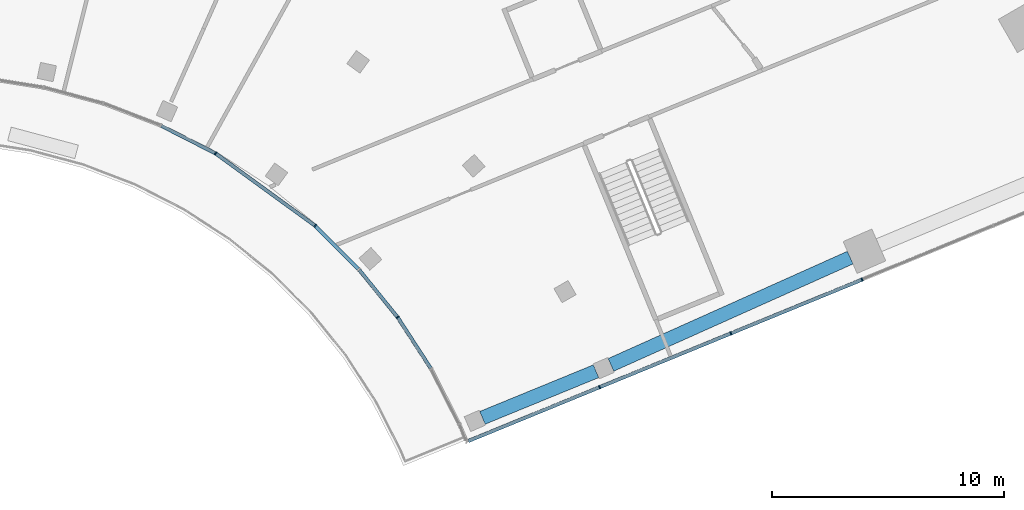
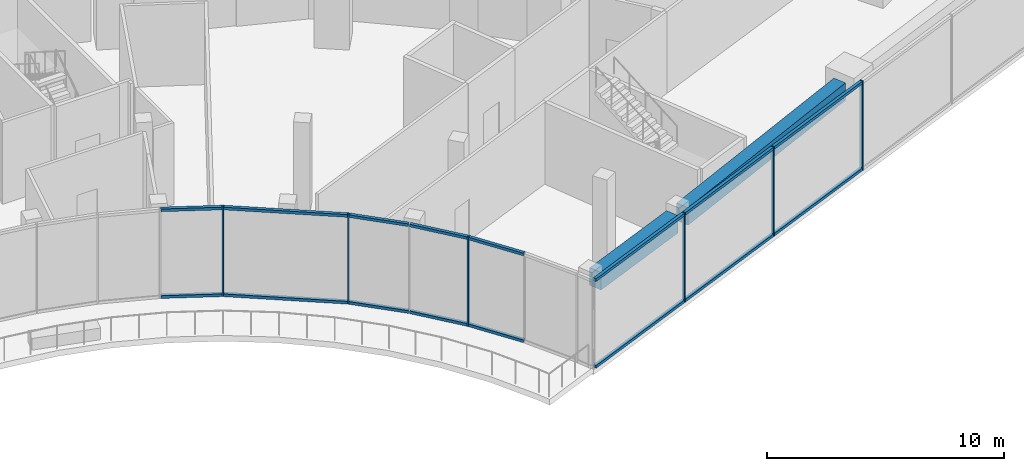
# One storey, part 9 of 39: 22 members, 2 beams, 2 elements without a shape of their own.
"""IFC4 building model written with IfcOpenShell, lengths in metres."""

import ifcopenshell
import ifcopenshell.guid

model = None  # the IFC model being written
_history = None  # IfcOwnerHistory: only IFC2X3 demands one
_inside = {}  # id of a spatial element -> (the spatial element, [elements in it])
_under = {}  # id of a project, library or spatial element -> (it, [spatial elements below it])
_declared = {}  # id of a project -> (the project, [libraries it declares])
_typed = {}  # id of a type object -> (the type object, [elements of that type])
_made_of = {}  # id of a material, layer set ... -> (it, [elements and type objects made of it])


def new_model(schema):
    """Start an empty IFC model of exactly this schema.

    Asked for "IFC4X3", IfcOpenShell would pick the latest addendum, in which some entities
    have other attributes; the version numbers below select the first issue.
    IFC2X3 requires an IfcOwnerHistory on every rooted entity: one is made here for all.
    """
    global model, _history
    if schema == "IFC4X3":
        model = ifcopenshell.file(schema_version=(4, 3, 0, 0))
    else:
        model = ifcopenshell.file(schema=schema)
    _inside.clear()
    _under.clear()
    _declared.clear()
    _typed.clear()
    _made_of.clear()
    _history = None
    if model.schema == "IFC2X3":
        org = make("IfcOrganization", Name="unknown")
        user = make(
            "IfcPersonAndOrganization",
            ThePerson=make("IfcPerson", FamilyName="unknown"),
            TheOrganization=org,
        )
        app = make(
            "IfcApplication",
            ApplicationDeveloper=org,
            Version="unknown",
            ApplicationFullName="unknown",
            ApplicationIdentifier="unknown",
        )
        _history = make(
            "IfcOwnerHistory",
            OwningUser=user,
            OwningApplication=app,
            ChangeAction="ADDED",
            CreationDate=0,
        )
    return model


def make(cls, **values):
    """One entity of the class cls with the attributes given. An attribute that is None is left unset."""
    return model.create_entity(
        cls, **{name: value for name, value in values.items() if value is not None}
    )


def rooted(cls, **values):
    """An entity with a GlobalId (a new one), such as an element, a storey or a relation."""
    return make(cls, GlobalId=ifcopenshell.guid.new(), OwnerHistory=_history, **values)


def si_unit(unit_type, name, prefix=None):
    """IfcSIUnit, for example si_unit("LENGTHUNIT", "METRE", prefix="MILLI")."""
    return make("IfcSIUnit", UnitType=unit_type, Prefix=prefix, Name=name)


def assignment(units):
    """IfcUnitAssignment: the units of a project."""
    return None if units is None else make("IfcUnitAssignment", Units=units)


def point(xyz):
    """IfcCartesianPoint."""
    return None if xyz is None else make("IfcCartesianPoint", Coordinates=xyz)


def direction(xyz):
    """IfcDirection."""
    return None if xyz is None else make("IfcDirection", DirectionRatios=xyz)


def frame(location, z_axis=None, x_axis=None):
    """IfcAxis2Placement3D, a coordinate frame: its origin and axes. An axis left out is left unset."""
    return make(
        "IfcAxis2Placement3D",
        Location=point(location),
        Axis=direction(z_axis),
        RefDirection=direction(x_axis),
    )


def frame_2d(location, x_axis=None):
    """IfcAxis2Placement2D, a coordinate frame in the plane: its origin and x axis."""
    return make(
        "IfcAxis2Placement2D", Location=point(location), RefDirection=direction(x_axis)
    )


def origin():
    """The frame at (0, 0, 0) with its axes left unset."""
    return frame((0.0, 0.0, 0.0))


def origin_2d():
    """The frame at (0, 0) in the plane with its x axis left unset."""
    return frame_2d((0.0, 0.0))


def place(relative_to, where):
    """IfcLocalPlacement: puts the frame where relative to a parent placement (None: the world)."""
    return make(
        "IfcLocalPlacement", PlacementRelTo=relative_to, RelativePlacement=where
    )


def context(
    kind, dimensions, precision=None, world=None, true_north=None, identifier=None
):
    """IfcGeometricRepresentationContext, for example the 3D "Model" context."""
    return make(
        "IfcGeometricRepresentationContext",
        ContextIdentifier=identifier,
        ContextType=kind,
        CoordinateSpaceDimension=dimensions,
        Precision=precision,
        WorldCoordinateSystem=world,
        TrueNorth=true_north,
    )


def subcontext(parent, identifier, kind, view, scale=None):
    """IfcGeometricRepresentationSubContext, for example "Body" below "Model"."""
    return make(
        "IfcGeometricRepresentationSubContext",
        ContextIdentifier=identifier,
        ContextType=kind,
        ParentContext=parent,
        TargetScale=scale,
        TargetView=view,
    )


def project(units=None, contexts=None):
    """IfcProject with its units and contexts."""
    return rooted(
        "IfcProject",
        Name="project",
        RepresentationContexts=contexts,
        UnitsInContext=assignment(units),
    )


def spatial(cls, under=None, at=None, **own):
    """A site, building, storey or space (cls), placed at a placement, below another one or the project."""
    s = rooted(cls, ObjectPlacement=at, **own)
    if under is not None:
        _under.setdefault(under.id(), (under, []))[1].append(s)
    return s


def profile(cls, at=None, kind="AREA", **sizes):
    """A parametric profile (cls). Its sizes go by their IFC names, for example OverallWidth=200.0."""
    return make(cls, ProfileType=kind, Position=at, **sizes)


def rectangle(**sizes):
    """IfcRectangleProfileDef."""
    return profile("IfcRectangleProfileDef", **sizes)


def extrude(swept, where, along, depth):
    """IfcExtrudedAreaSolid: the profile swept, set in the frame where, extruded along a direction by depth."""
    return make(
        "IfcExtrudedAreaSolid",
        SweptArea=swept,
        Position=where,
        ExtrudedDirection=direction(along),
        Depth=depth,
    )


def shape(context_of_items, identifier, shape_type, items):
    """IfcShapeRepresentation: the items that make up one representation, for example the "Body"."""
    return make(
        "IfcShapeRepresentation",
        ContextOfItems=context_of_items,
        RepresentationIdentifier=identifier,
        RepresentationType=shape_type,
        Items=items,
    )


def material(Name=None, Category=None):
    """IfcMaterial."""
    return make("IfcMaterial", Name=Name, Category=Category)


def layer(
    of_material, thickness, ventilated=None, Name=None, Category=None, Priority=None
):
    """IfcMaterialLayer: one layer of a wall or slab, of a material (None: an air gap)."""
    return make(
        "IfcMaterialLayer",
        Material=of_material,
        LayerThickness=thickness,
        IsVentilated=ventilated,
        Name=Name,
        Category=Category,
        Priority=Priority,
    )


def layer_set(layers, Name=None):
    """IfcMaterialLayerSet."""
    return make("IfcMaterialLayerSet", MaterialLayers=layers, LayerSetName=Name)


def material_profile(
    of_material, cross_section, Name=None, Category=None, Priority=None
):
    """IfcMaterialProfile: a cross section and its material."""
    return make(
        "IfcMaterialProfile",
        Name=Name,
        Material=of_material,
        Profile=cross_section,
        Priority=Priority,
        Category=Category,
    )


def profile_set(profiles, Name=None, composite=None):
    """IfcMaterialProfileSet."""
    return make(
        "IfcMaterialProfileSet",
        Name=Name,
        MaterialProfiles=profiles,
        CompositeProfile=composite,
    )


def made_of(thing, what):
    """Note that an element or type object is made of a material, layer set ...; save() writes the relation."""
    if what is not None:
        _made_of.setdefault(what.id(), (what, []))[1].append(thing)
    return thing


def type_object(cls, material=None, **own):
    """A type object (cls), such as IfcWallType, which elements share."""
    return made_of(rooted(cls, **own), material)


def element(
    cls,
    number,
    at=None,
    inside=None,
    cuts=None,
    type_object=None,
    material=None,
    context=None,
    identifier="Body",
    shape_type=None,
    held_by="IfcProductDefinitionShape",
    body=None,
    shapes=None,
    **own,
):
    """One element of the class cls, such as IfcWall. Its Tag is "e" and its number.

    at: its placement. inside: the storey or other place that contains it. cuts: it is an
    opening in that element (IfcRelVoidsElement). A single representation is given by context,
    identifier, shape_type and body (its items); several are given by shapes. held_by: the class
    of the entity that holds the representations. save() writes the other relations.
    """
    e = rooted(cls, Tag="e%d" % number, ObjectPlacement=at, **own)
    if body is not None:
        shapes = [shape(context, identifier, shape_type, body)]
    if shapes is not None:
        e.Representation = make(held_by, Representations=shapes)
    if inside is not None:
        _inside.setdefault(inside.id(), (inside, []))[1].append(e)
    if cuts is not None:
        rooted(
            "IfcRelVoidsElement", RelatingBuildingElement=cuts, RelatedOpeningElement=e
        )
    if type_object is not None:
        _typed.setdefault(type_object.id(), (type_object, []))[1].append(e)
    return made_of(e, material)


def aggregate(whole, parts):
    """IfcRelAggregates: a whole, such as a stair, and the parts it consists of."""
    return rooted("IfcRelAggregates", RelatingObject=whole, RelatedObjects=parts)


def save(model, path):
    """Write the relations noted so far, then the file.

    IfcRelAggregates (storeys below a building ...), IfcRelContainedInSpatialStructure (elements
    in a storey), IfcRelDefinesByType, IfcRelAssociatesMaterial and IfcRelDeclares: one each for
    every whole, place, type object, material and project.
    """
    for whole, parts in _under.values():
        aggregate(whole, parts)
    for where, things in _inside.values():
        rooted(
            "IfcRelContainedInSpatialStructure",
            RelatedElements=things,
            RelatingStructure=where,
        )
    for kind, things in _typed.values():
        rooted("IfcRelDefinesByType", RelatedObjects=things, RelatingType=kind)
    for what, things in _made_of.values():
        rooted("IfcRelAssociatesMaterial", RelatedObjects=things, RelatingMaterial=what)
    for by, libraries in _declared.values():
        rooted("IfcRelDeclares", RelatingContext=by, RelatedDefinitions=libraries)
    model.write(path)


model = new_model("IFC4")

# Units and contexts
model_context = context("Model", 3, precision=1e-05, world=origin(), true_north=direction((0.0, 1.0)))
body_context = subcontext(model_context, "Body", "Model", "MODEL_VIEW")
ifc_project = project(units=[si_unit("LENGTHUNIT", "METRE"), si_unit("AREAUNIT", "SQUARE_METRE"), si_unit("VOLUMEUNIT", "CUBIC_METRE"), si_unit("PLANEANGLEUNIT", "RADIAN"), si_unit("MASSUNIT", "GRAM", prefix="KILO")], contexts=[model_context])

# Site, building, storey
site_placement = place(None, origin())
site = spatial("IfcSite", under=ifc_project, at=site_placement, CompositionType="ELEMENT")
building_placement = place(site_placement, origin())
building = spatial("IfcBuilding", under=site, at=building_placement, Name="Stone Belt Terrace Tower", CompositionType="ELEMENT")
storey_placement = place(building_placement, frame((0.0, 0.0, 16.199951171875)))
storey = spatial("IfcBuildingStorey", under=building, at=storey_placement, Name="L03", CompositionType="ELEMENT", Elevation=16.199951171875)

# Curtain wall, members
ifc_material_1 = material(Name="Aluminium 6063-T6 anodised frame", Category="aluminium")
ifc_layer = layer(ifc_material_1, 0.14990234375)
ifc_layer_set = layer_set([ifc_layer], Name="CW-D podium shopfront")
curtain_wall_type = type_object("IfcCurtainWallType", Name="CW-D podium shopfront", PredefinedType="NOTDEFINED", material=ifc_layer_set)
curtain_wall_1_placement = place(storey_placement, origin())
curtain_wall_1 = element("IfcCurtainWall", 1, at=curtain_wall_1_placement, inside=storey, type_object=curtain_wall_type, Name="CW-D concave face L03", PredefinedType="NOTDEFINED")
ifc_material_profile_1 = material_profile(ifc_material_1, rectangle(XDim=0.14990234375, YDim=0.06005859375, at=origin_2d()), Name="Aluminium 6063-T6 60x150")
ifc_profile_set_1 = profile_set([ifc_material_profile_1], Name="Aluminium 6063-T6 anodised frame")
member_type_1 = type_object("IfcMemberType", Name="CW-D mullion 60 x 150", PredefinedType="MULLION", material=ifc_profile_set_1)
member_1_placement = place(storey_placement, frame((12.710693359375, 22.01953125, 0.0), z_axis=(0.0, 0.0, 1.0), x_axis=(0.522498564716, 0.852640164354, 0.0)))
member_1 = element("IfcMember", 2, at=member_1_placement, type_object=member_type_1, Name="CW-D mullion 16", PredefinedType="MULLION", context=body_context, shape_type="SweptSolid", body=[
    extrude(rectangle(XDim=0.14990234375, YDim=0.06005859375, at=origin_2d()), origin(), (0.0, 0.0, 1.0), 4.60009765625),
])
member_2_placement = place(storey_placement, frame((17.013916015625, 18.89306640625, 0.0), z_axis=(0.0, 0.0, 1.0), x_axis=(0.64944804833, 0.7604059656, 0.0)))
member_2 = element("IfcMember", 3, at=member_2_placement, type_object=member_type_1, Name="CW-D mullion 17", PredefinedType="MULLION", context=body_context, shape_type="SweptSolid", body=[
    extrude(rectangle(XDim=0.14990234375, YDim=0.06005859375, at=origin_2d()), origin(), (0.0, 0.0, 1.0), 4.60009765625),
])
member_3_placement = place(storey_placement, frame((20.569091796875, 14.9443359375, 0.0), z_axis=(0.0, 0.0, 1.0), x_axis=(0.809016994375, 0.587785252292, 0.0)))
member_3 = element("IfcMember", 4, at=member_3_placement, type_object=member_type_1, Name="CW-D mullion 19", PredefinedType="MULLION", context=body_context, shape_type="SweptSolid", body=[
    extrude(rectangle(XDim=0.14990234375, YDim=0.06005859375, at=origin_2d()), origin(), (0.0, 0.0, 1.0), 4.60009765625),
])

curtain_wall_2_placement = place(storey_placement, origin())
curtain_wall_2 = element("IfcCurtainWall", 5, at=curtain_wall_2_placement, inside=storey, type_object=curtain_wall_type, Name="CW-D end face L03", PredefinedType="NOTDEFINED")
member_4_placement = place(storey_placement, frame((29.291015625, 11.924072265625, 0.0), z_axis=(0.0, 0.0, 1.0), x_axis=(-0.379243093825, 0.925297074342, 0.0)))
member_4 = element("IfcMember", 6, at=member_4_placement, type_object=member_type_1, Name="CW-D mullion 2", PredefinedType="MULLION", context=body_context, shape_type="SweptSolid", body=[
    extrude(rectangle(XDim=0.14990234375, YDim=0.06005859375, at=origin_2d()), origin(), (0.0, 0.0, 1.0), 4.60009765625),
])
member_5_placement = place(storey_placement, frame((34.95849609375, 14.2470703125, 0.0), z_axis=(0.0, 0.0, 1.0), x_axis=(-0.379243093825, 0.925297074342, 0.0)))
member_5 = element("IfcMember", 7, at=member_5_placement, type_object=member_type_1, Name="CW-D mullion 3", PredefinedType="MULLION", context=body_context, shape_type="SweptSolid", body=[
    extrude(rectangle(XDim=0.14990234375, YDim=0.06005859375, at=origin_2d()), origin(), (0.0, 0.0, 1.0), 4.60009765625),
])
member_6_placement = place(storey_placement, frame((40.625732421875, 16.56982421875, 0.0), z_axis=(0.0, 0.0, 1.0), x_axis=(-0.379243093825, 0.925297074342, 0.0)))
member_6 = element("IfcMember", 8, at=member_6_placement, type_object=member_type_1, Name="CW-D mullion 4", PredefinedType="MULLION", context=body_context, shape_type="SweptSolid", body=[
    extrude(rectangle(XDim=0.14990234375, YDim=0.06005859375, at=origin_2d()), origin(), (0.0, 0.0, 1.0), 4.60009765625),
])

# Member
ifc_material_profile_2 = material_profile(ifc_material_1, rectangle(XDim=0.14990234375, YDim=0.139892578125, at=origin_2d()), Name="Aluminium 6063-T6 150x140")
ifc_profile_set_2 = profile_set([ifc_material_profile_2], Name="Aluminium 6063-T6 anodised frame")
member_type_2 = type_object("IfcMemberType", Name="CW-D transom 140 x 150", PredefinedType="USERDEFINED", material=ifc_profile_set_2)
member_7_placement = place(storey_placement, frame((10.371337890625, 23.21142578125, 0.070068359375), z_axis=(0.890988410313, -0.454026048468, 0.0), x_axis=(0.454026048468, 0.890988410313, 0.0)))
member_7 = element("IfcMember", 9, at=member_7_placement, type_object=member_type_2, Name="CW-D transom 15.1", ObjectType="TRANSOM", PredefinedType="USERDEFINED", context=body_context, shape_type="SweptSolid", body=[
    extrude(rectangle(XDim=0.14990234375, YDim=0.139892578125, at=origin_2d()), origin(), (0.0, 0.0, 1.0), 2.589599609375),
])

member_8_placement = place(storey_placement, frame((10.371337890625, 23.21142578125, 4.530029296875), z_axis=(0.890988410313, -0.454026048468, 0.0), x_axis=(0.454026048468, 0.890988410313, 0.0)))
member_8 = element("IfcMember", 10, at=member_8_placement, type_object=member_type_2, Name="CW-D transom 15.2", ObjectType="TRANSOM", PredefinedType="USERDEFINED", context=body_context, shape_type="SweptSolid", body=[
    extrude(rectangle(XDim=0.14990234375, YDim=0.139892578125, at=origin_2d()), origin(), (0.0, 0.0, 1.0), 2.589599609375),
])

member_9_placement = place(storey_placement, frame((12.73974609375, 21.99853515625, 0.070068359375), z_axis=(0.809013631992, -0.587789880188, 0.0), x_axis=(0.587789880188, 0.809013631992, 0.0)))
member_9 = element("IfcMember", 11, at=member_9_placement, type_object=member_type_2, Name="CW-D transom 16.1", ObjectType="TRANSOM", PredefinedType="USERDEFINED", context=body_context, shape_type="SweptSolid", body=[
    extrude(rectangle(XDim=0.14990234375, YDim=0.139892578125, at=origin_2d()), origin(), (0.0, 0.0, 1.0), 5.24755859375),
])

member_10_placement = place(storey_placement, frame((12.73974609375, 21.99853515625, 4.530029296875), z_axis=(0.809013631992, -0.587789880188, 0.0), x_axis=(0.587789880188, 0.809013631992, 0.0)))
member_10 = element("IfcMember", 12, at=member_10_placement, type_object=member_type_2, Name="CW-D transom 16.2", ObjectType="TRANSOM", PredefinedType="USERDEFINED", context=body_context, shape_type="SweptSolid", body=[
    extrude(rectangle(XDim=0.14990234375, YDim=0.139892578125, at=origin_2d()), origin(), (0.0, 0.0, 1.0), 5.24755859375),
])

member_11_placement = place(storey_placement, frame((17.039306640625, 18.86767578125, 0.070068359375), z_axis=(0.707106781187, -0.707106781187, 0.0), x_axis=(0.707106781187, 0.707106781187, 0.0)))
member_11 = element("IfcMember", 13, at=member_11_placement, type_object=member_type_2, Name="CW-D transom 17.1", ObjectType="TRANSOM", PredefinedType="USERDEFINED", context=body_context, shape_type="SweptSolid", body=[
    extrude(rectangle(XDim=0.14990234375, YDim=0.139892578125, at=origin_2d()), origin(), (0.0, 0.0, 1.0), 2.589599609375),
])

member_12_placement = place(storey_placement, frame((17.039306640625, 18.86767578125, 4.530029296875), z_axis=(0.707106781187, -0.707106781187, 0.0), x_axis=(0.707106781187, 0.707106781187, 0.0)))
member_12 = element("IfcMember", 14, at=member_12_placement, type_object=member_type_2, Name="CW-D transom 17.2", ObjectType="TRANSOM", PredefinedType="USERDEFINED", context=body_context, shape_type="SweptSolid", body=[
    extrude(rectangle(XDim=0.14990234375, YDim=0.139892578125, at=origin_2d()), origin(), (0.0, 0.0, 1.0), 2.589599609375),
])

member_13_placement = place(storey_placement, frame((18.915771484375, 16.986328125, 0.070068359375), z_axis=(0.629287587589, -0.777172524029, 0.0), x_axis=(0.777172524029, 0.629287587589, 0.0)))
member_13 = element("IfcMember", 15, at=member_13_placement, type_object=member_type_2, Name="CW-D transom 18.1", ObjectType="TRANSOM", PredefinedType="USERDEFINED", context=body_context, shape_type="SweptSolid", body=[
    extrude(rectangle(XDim=0.14990234375, YDim=0.139892578125, at=origin_2d()), origin(), (0.0, 0.0, 1.0), 2.593505859375),
])

member_14_placement = place(storey_placement, frame((18.915771484375, 16.986328125, 4.530029296875), z_axis=(0.629287587589, -0.777172524029, 0.0), x_axis=(0.777172524029, 0.629287587589, 0.0)))
member_14 = element("IfcMember", 16, at=member_14_placement, type_object=member_type_2, Name="CW-D transom 18.2", ObjectType="TRANSOM", PredefinedType="USERDEFINED", context=body_context, shape_type="SweptSolid", body=[
    extrude(rectangle(XDim=0.14990234375, YDim=0.139892578125, at=origin_2d()), origin(), (0.0, 0.0, 1.0), 2.593505859375),
])

member_15_placement = place(storey_placement, frame((20.587646484375, 14.916015625, 0.070068359375), z_axis=(0.544667356969, -0.838652174773, 0.0), x_axis=(0.838652174773, 0.544667356969, 0.0)))
member_15 = element("IfcMember", 17, at=member_15_placement, type_object=member_type_2, Name="CW-D transom 19.1", ObjectType="TRANSOM", PredefinedType="USERDEFINED", context=body_context, shape_type="SweptSolid", body=[
    extrude(rectangle(XDim=0.14990234375, YDim=0.139892578125, at=origin_2d()), origin(), (0.0, 0.0, 1.0), 2.593505859375),
])

member_16_placement = place(storey_placement, frame((20.587646484375, 14.916015625, 4.530029296875), z_axis=(0.544667356969, -0.838652174773, 0.0), x_axis=(0.838652174773, 0.544667356969, 0.0)))
member_16 = element("IfcMember", 18, at=member_16_placement, type_object=member_type_2, Name="CW-D transom 19.2", ObjectType="TRANSOM", PredefinedType="USERDEFINED", context=body_context, shape_type="SweptSolid", body=[
    extrude(rectangle(XDim=0.14990234375, YDim=0.139892578125, at=origin_2d()), origin(), (0.0, 0.0, 1.0), 2.593505859375),
])

aggregate(curtain_wall_1, [member_1, member_2, member_3, member_7, member_8, member_9, member_10, member_11, member_12, member_13, member_14, member_15, member_16])

member_17_placement = place(storey_placement, frame((23.62353515625, 9.601318359375, 0.070068359375), z_axis=(0.92529407816, 0.379250403984, 0.0), x_axis=(-0.379250403984, 0.92529407816, 0.0)))
member_17 = element("IfcMember", 19, at=member_17_placement, type_object=member_type_2, Name="CW-D transom 1.1", ObjectType="TRANSOM", PredefinedType="USERDEFINED", context=body_context, shape_type="SweptSolid", body=[
    extrude(rectangle(XDim=0.14990234375, YDim=0.139892578125, at=origin_2d()), origin(), (0.0, 0.0, 1.0), 6.094970703125),
])

member_18_placement = place(storey_placement, frame((23.62353515625, 9.601318359375, 4.530029296875), z_axis=(0.92529407816, 0.379250403984, 0.0), x_axis=(-0.379250403984, 0.92529407816, 0.0)))
member_18 = element("IfcMember", 20, at=member_18_placement, type_object=member_type_2, Name="CW-D transom 1.2", ObjectType="TRANSOM", PredefinedType="USERDEFINED", context=body_context, shape_type="SweptSolid", body=[
    extrude(rectangle(XDim=0.14990234375, YDim=0.139892578125, at=origin_2d()), origin(), (0.0, 0.0, 1.0), 6.094970703125),
])

member_19_placement = place(storey_placement, frame((29.318603515625, 11.935546875, 0.070068359375), z_axis=(0.92530374933, 0.379226807432, 0.0), x_axis=(-0.379226807432, 0.92530374933, 0.0)))
member_19 = element("IfcMember", 21, at=member_19_placement, type_object=member_type_2, Name="CW-D transom 2.1", ObjectType="TRANSOM", PredefinedType="USERDEFINED", context=body_context, shape_type="SweptSolid", body=[
    extrude(rectangle(XDim=0.14990234375, YDim=0.139892578125, at=origin_2d()), origin(), (0.0, 0.0, 1.0), 6.065185546875),
])

member_20_placement = place(storey_placement, frame((29.318603515625, 11.935546875, 4.530029296875), z_axis=(0.92530374933, 0.379226807432, 0.0), x_axis=(-0.379226807432, 0.92530374933, 0.0)))
member_20 = element("IfcMember", 22, at=member_20_placement, type_object=member_type_2, Name="CW-D transom 2.2", ObjectType="TRANSOM", PredefinedType="USERDEFINED", context=body_context, shape_type="SweptSolid", body=[
    extrude(rectangle(XDim=0.14990234375, YDim=0.139892578125, at=origin_2d()), origin(), (0.0, 0.0, 1.0), 6.065185546875),
])

member_21_placement = place(storey_placement, frame((34.986083984375, 14.25830078125, 0.070068359375), z_axis=(0.925289624004, 0.379261271039, 0.0), x_axis=(-0.379261271039, 0.925289624004, 0.0)))
member_21 = element("IfcMember", 23, at=member_21_placement, type_object=member_type_2, Name="CW-D transom 3.1", ObjectType="TRANSOM", PredefinedType="USERDEFINED", context=body_context, shape_type="SweptSolid", body=[
    extrude(rectangle(XDim=0.14990234375, YDim=0.139892578125, at=origin_2d()), origin(), (0.0, 0.0, 1.0), 6.065185546875),
])

member_22_placement = place(storey_placement, frame((34.986083984375, 14.25830078125, 4.530029296875), z_axis=(0.925289624004, 0.379261271039, 0.0), x_axis=(-0.379261271039, 0.925289624004, 0.0)))
member_22 = element("IfcMember", 24, at=member_22_placement, type_object=member_type_2, Name="CW-D transom 3.2", ObjectType="TRANSOM", PredefinedType="USERDEFINED", context=body_context, shape_type="SweptSolid", body=[
    extrude(rectangle(XDim=0.14990234375, YDim=0.139892578125, at=origin_2d()), origin(), (0.0, 0.0, 1.0), 6.065185546875),
])

aggregate(curtain_wall_2, [member_4, member_5, member_6, member_17, member_18, member_19, member_20, member_21, member_22])

# Beams
ifc_material_2 = material(Name="Concrete B60", Category="concrete")
ifc_material_profile_3 = material_profile(ifc_material_2, rectangle(XDim=0.60009765625, YDim=0.89990234375, at=origin_2d()), Name="RC 600x900")
ifc_profile_set_3 = profile_set([ifc_material_profile_3], Name="Concrete B60")
beam_type = type_object("IfcBeamType", Name="Edge beam RC 600x900 B60", PredefinedType="SPANDREL", material=ifc_profile_set_3)
beam_1_placement = place(storey_placement, frame((24.232421875, 10.601806640625, 3.75), z_axis=(0.925289242227, 0.379262202466, 0.0), x_axis=(-0.379262202466, 0.925289242227, 0.0)))
element("IfcBeam", 25, at=beam_1_placement, inside=storey, type_object=beam_type, Name="Edge beam L03 B N to O", PredefinedType="SPANDREL", context=body_context, shape_type="SweptSolid", body=[
    extrude(rectangle(XDim=0.60009765625, YDim=0.89990234375, at=origin_2d()), origin(), (0.0, 0.0, 1.0), 5.301025390625),
])
beam_2_placement = place(storey_placement, frame((29.78076171875, 12.88818359375, 3.75), z_axis=(0.91252459094, 0.409021846519, 0.0), x_axis=(-0.409021846519, 0.91252459094, 0.0)))
element("IfcBeam", 26, at=beam_2_placement, inside=storey, type_object=beam_type, Name="Edge beam L03 B O to P", PredefinedType="SPANDREL", context=body_context, shape_type="SweptSolid", body=[
    extrude(rectangle(XDim=0.60009765625, YDim=0.89990234375, at=origin_2d()), origin(), (0.0, 0.0, 1.0), 11.320556640625),
])

save(model, "model.ifc")
